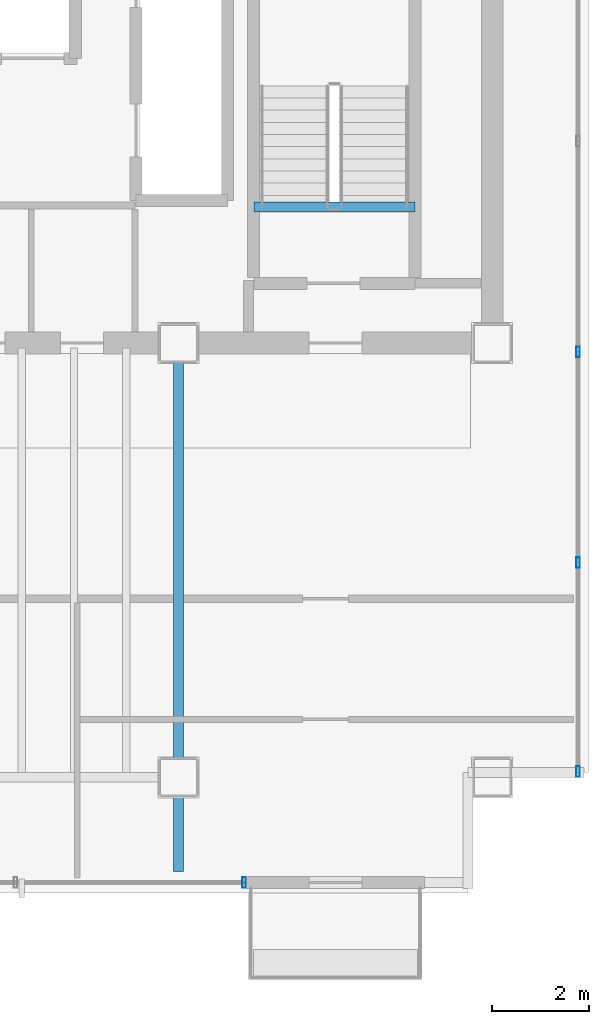
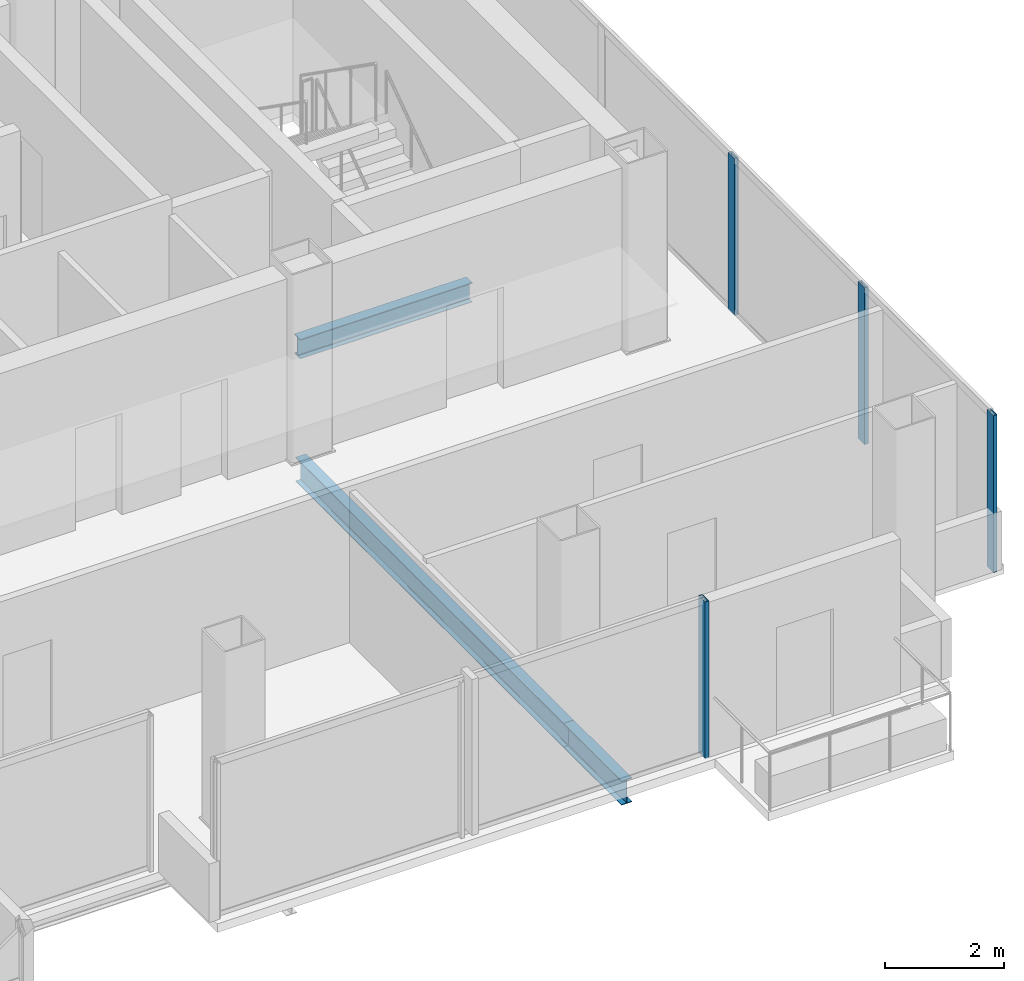
# One storey, part 11 of 17: 4 members, 3 beams, 2 elements without a shape of their own.
"""IFC4 building model written with IfcOpenShell, lengths in metres."""

from ifc_helpers import new_model, si_unit, direction, frame, origin, origin_2d, place, context, subcontext, project, spatial, hollow_rectangle, i_section, extrude, material, material_profile, profile_set, type_object, element, aggregate, save


model = new_model("IFC4")

# Units and contexts
model_context = context("Model", 3, precision=1e-05, world=origin(), true_north=direction((0.0, 1.0)))
body_context = subcontext(model_context, "Body", "Model", "MODEL_VIEW")
ifc_project = project(units=[si_unit("LENGTHUNIT", "METRE"), si_unit("AREAUNIT", "SQUARE_METRE"), si_unit("VOLUMEUNIT", "CUBIC_METRE"), si_unit("PLANEANGLEUNIT", "RADIAN"), si_unit("MASSUNIT", "GRAM", prefix="KILO")], contexts=[model_context])

# Site, building, storey
site_placement = place(None, origin())
site = spatial("IfcSite", under=ifc_project, at=site_placement, CompositionType="ELEMENT")
building_placement = place(site_placement, origin())
building = spatial("IfcBuilding", under=site, at=building_placement, Name="Noeulbin Bourse Tower", CompositionType="ELEMENT")
storey_placement = place(building_placement, frame((0.0, 0.0, 261.800048828125)))
storey = spatial("IfcBuildingStorey", under=building, at=storey_placement, Name="L65", CompositionType="ELEMENT", Elevation=261.800048828125)

# Beams
ifc_material_1 = material(Name="Steel S355", Category="steel")
ifc_material_profile_1 = material_profile(ifc_material_1, i_section(OverallWidth=0.199951171875, OverallDepth=0.5, WebThickness=0.010009765625, FlangeThickness=0.01611328125, FilletRadius=0.02001953125, at=origin_2d()), Name="H-500x200x10x16", Category="LoadBearing")
ifc_profile_set_1 = profile_set([ifc_material_profile_1], Name="Steel S355")
beam_type_1 = type_object("IfcBeamType", Name="BM-GRD-500", PredefinedType="USERDEFINED", material=ifc_profile_set_1)
beam_1_placement = place(storey_placement, frame((37.5, 18.050048828125, -0.429931640625), z_axis=(0.0, 1.0, 0.0), x_axis=(-1.0, 0.0, 0.0)))
element("IfcBeam", 1, at=beam_1_placement, inside=storey, type_object=beam_type_1, Name="Tower Primary Girder NS L65-4.1", ObjectType="GIRDER", PredefinedType="USERDEFINED", context=body_context, shape_type="SweptSolid", body=[
    extrude(i_section(OverallWidth=0.199951171875, OverallDepth=0.5, WebThickness=0.010009765625, FlangeThickness=0.01611328125, FilletRadius=0.02001953125, at=origin_2d()), origin(), (0.0, 0.0, 1.0), 1.949951171875),
])
beam_2_placement = place(storey_placement, frame((37.5, 20.0, -0.429931640625), z_axis=(0.0, 1.0, 0.0), x_axis=(-1.0, 0.0, 0.0)))
element("IfcBeam", 2, at=beam_2_placement, inside=storey, type_object=beam_type_1, Name="Tower Primary Girder NS L65-4.2", ObjectType="GIRDER", PredefinedType="USERDEFINED", context=body_context, shape_type="SweptSolid", body=[
    extrude(i_section(OverallWidth=0.199951171875, OverallDepth=0.5, WebThickness=0.010009765625, FlangeThickness=0.01611328125, FilletRadius=0.02001953125, at=origin_2d()), origin(), (0.0, 0.0, 1.0), 9.0),
])
ifc_material_profile_2 = material_profile(ifc_material_1, i_section(OverallWidth=0.199951171875, OverallDepth=0.39990234375, WebThickness=0.008056640625, FlangeThickness=0.012939453125, FilletRadius=0.01611328125, at=origin_2d()), Name="H-400x200x8x13", Category="LoadBearing")
ifc_profile_set_2 = profile_set([ifc_material_profile_2], Name="Steel S355")
beam_type_2 = type_object("IfcBeamType", Name="BM-SEC-400", PredefinedType="BEAM", material=ifc_profile_set_2)
beam_3_placement = place(storey_placement, frame((39.06005859375, 31.820068359375, -0.199951171875), z_axis=(1.0, 0.0, 0.0), x_axis=(0.0, 1.0, 0.0)))
element("IfcBeam", 3, at=beam_3_placement, inside=storey, type_object=beam_type_2, Name="Stair Threshold Trimmer Beam ST2-L65", PredefinedType="BEAM", context=body_context, shape_type="SweptSolid", body=[
    extrude(i_section(OverallWidth=0.199951171875, OverallDepth=0.39990234375, WebThickness=0.008056640625, FlangeThickness=0.012939453125, FilletRadius=0.01611328125, at=origin_2d()), origin(), (0.0, 0.0, 1.0), 3.33984375),
])

# Curtain wall, member
ifc_material_2 = material(Name="High-Selectivity Low-Iron Glazing", Category="glass")
curtain_wall_type = type_object("IfcCurtainWallType", Name="CW-SYS-4", PredefinedType="NOTDEFINED", material=ifc_material_2)
curtain_wall_1_placement = place(storey_placement, origin())
curtain_wall_1 = element("IfcCurtainWall", 4, at=curtain_wall_1_placement, inside=storey, type_object=curtain_wall_type, Name="Unitised Curtain Wall CW-L65-S2", PredefinedType="NOTDEFINED")
ifc_material_3 = material(Name="Anodised Aluminium 6063-T6", Category="aluminium")
ifc_material_profile_3 = material_profile(ifc_material_3, hollow_rectangle(XDim=0.074951171875, YDim=0.219970703125, WallThickness=0.0048828125, InnerFilletRadius=0.00244140625, OuterFilletRadius=0.0048828125, at=origin_2d()), Name="ALU-MULL-75x220x5", Category="LoadBearing")
ifc_profile_set_3 = profile_set([ifc_material_profile_3], Name="Anodised Aluminium 6063-T6")
member_type = type_object("IfcMemberType", Name="CW-SYS-4-MUL", PredefinedType="MULLION", material=ifc_profile_set_3)
member_1_placement = place(storey_placement, frame((38.860107421875, 17.820068359375, -0.02001953125), z_axis=(0.0, 0.0, 1.0), x_axis=(1.0, 0.0, 0.0)))
member_1 = element("IfcMember", 5, at=member_1_placement, type_object=member_type, Name="Curtain Wall Mullion CW-L65-S2-M02", PredefinedType="MULLION", context=body_context, shape_type="SweptSolid", body=[
    extrude(hollow_rectangle(XDim=0.074951171875, YDim=0.219970703125, WallThickness=0.0048828125, InnerFilletRadius=0.00244140625, OuterFilletRadius=0.0048828125, at=origin_2d()), origin(), (0.0, 0.0, 1.0), 3.219970703125),
])
aggregate(curtain_wall_1, [member_1])

# Curtain wall, members
curtain_wall_2_placement = place(storey_placement, origin())
curtain_wall_2 = element("IfcCurtainWall", 6, at=curtain_wall_2_placement, inside=storey, type_object=curtain_wall_type, Name="Unitised Curtain Wall CW-L65-E", PredefinedType="NOTDEFINED")
member_2_placement = place(storey_placement, frame((45.780029296875, 20.1201171875, -0.02001953125), z_axis=(0.0, 0.0, 1.0), x_axis=(1.0, 0.0, 0.0)))
member_2 = element("IfcMember", 7, at=member_2_placement, type_object=member_type, Name="Curtain Wall Mullion CW-L65-E-M00", PredefinedType="MULLION", context=body_context, shape_type="SweptSolid", body=[
    extrude(hollow_rectangle(XDim=0.074951171875, YDim=0.219970703125, WallThickness=0.0048828125, InnerFilletRadius=0.00244140625, OuterFilletRadius=0.0048828125, at=origin_2d()), origin(), (0.0, 0.0, 1.0), 3.219970703125),
])
member_3_placement = place(storey_placement, frame((45.780029296875, 24.447998046875, -0.02001953125), z_axis=(0.0, 0.0, 1.0), x_axis=(1.0, 0.0, 0.0)))
member_3 = element("IfcMember", 8, at=member_3_placement, type_object=member_type, Name="Curtain Wall Mullion CW-L65-E-M01", PredefinedType="MULLION", context=body_context, shape_type="SweptSolid", body=[
    extrude(hollow_rectangle(XDim=0.074951171875, YDim=0.219970703125, WallThickness=0.0048828125, InnerFilletRadius=0.00244140625, OuterFilletRadius=0.0048828125, at=origin_2d()), origin(), (0.0, 0.0, 1.0), 3.219970703125),
])
member_4_placement = place(storey_placement, frame((45.780029296875, 28.81591796875, -0.02001953125), z_axis=(0.0, 0.0, 1.0), x_axis=(1.0, 0.0, 0.0)))
member_4 = element("IfcMember", 9, at=member_4_placement, type_object=member_type, Name="Curtain Wall Mullion CW-L65-E-M02", PredefinedType="MULLION", context=body_context, shape_type="SweptSolid", body=[
    extrude(hollow_rectangle(XDim=0.074951171875, YDim=0.219970703125, WallThickness=0.0048828125, InnerFilletRadius=0.00244140625, OuterFilletRadius=0.0048828125, at=origin_2d()), origin(), (0.0, 0.0, 1.0), 3.219970703125),
])
aggregate(curtain_wall_2, [member_2, member_3, member_4])

save(model, "model.ifc")
